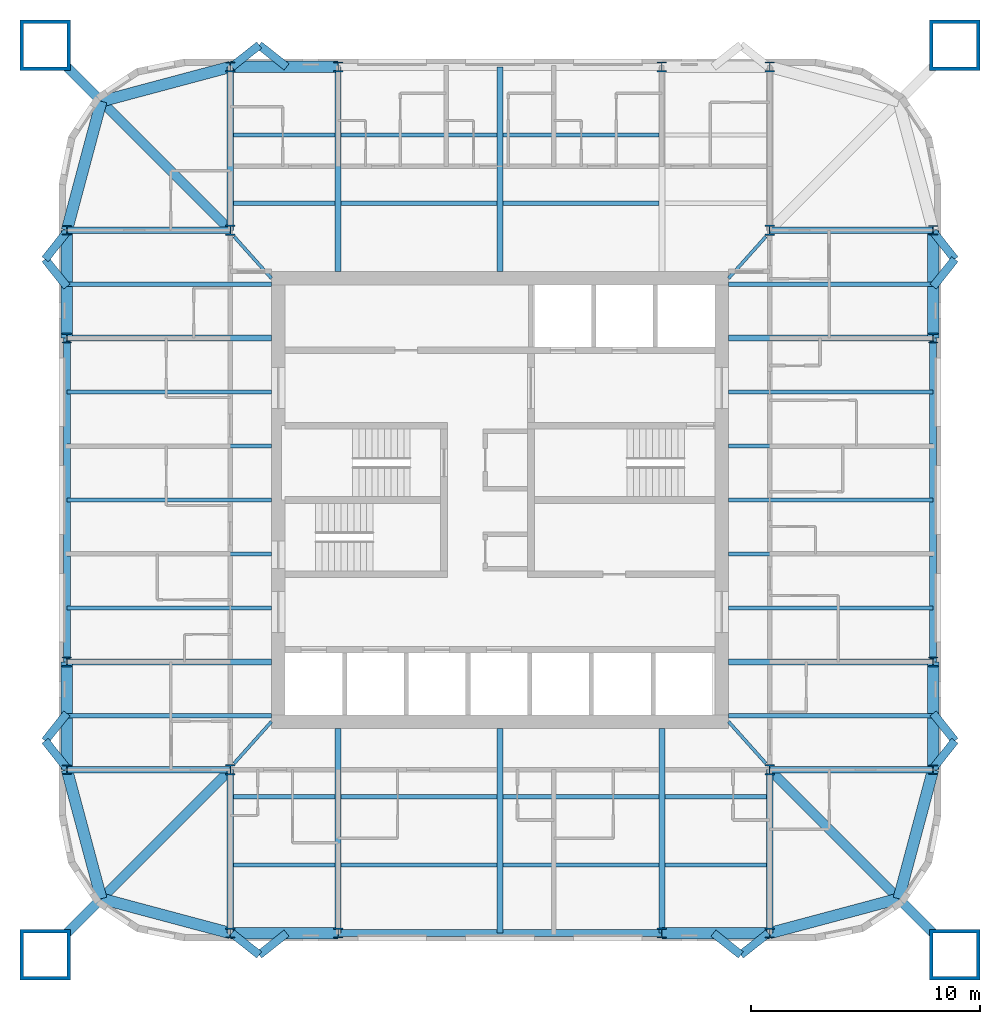
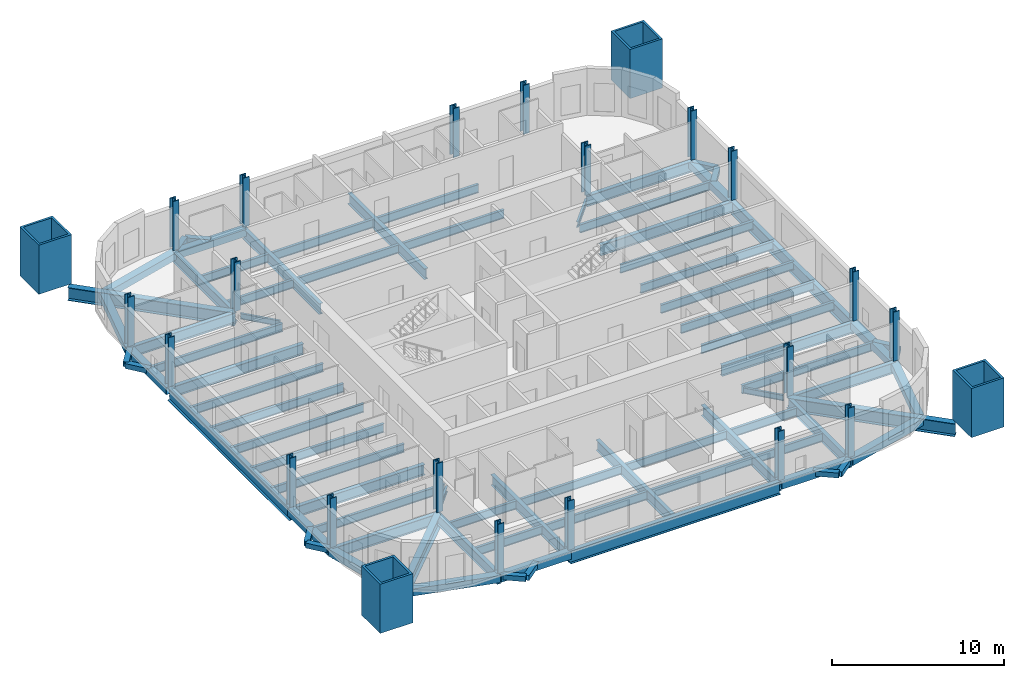
# One storey, part 1 of 9: 81 beams, 24 columns.
"""IFC4 building model written with IfcOpenShell, lengths in metres."""

from ifc_helpers import new_model, si_unit, direction, frame, origin, origin_2d, place, context, subcontext, project, spatial, hollow_rectangle, i_section, extrude, material, material_profile, profile_set, type_object, element, save


model = new_model("IFC4")

# Units and contexts
model_context = context("Model", 3, precision=1e-05, world=origin(), true_north=direction((0.0, 1.0)))
body_context = subcontext(model_context, "Body", "Model", "MODEL_VIEW")
ifc_project = project(units=[si_unit("LENGTHUNIT", "METRE"), si_unit("AREAUNIT", "SQUARE_METRE"), si_unit("VOLUMEUNIT", "CUBIC_METRE"), si_unit("PLANEANGLEUNIT", "RADIAN"), si_unit("MASSUNIT", "GRAM", prefix="KILO")], contexts=[model_context])

# Site, building, storey
site_placement = place(None, origin())
site = spatial("IfcSite", under=ifc_project, at=site_placement, CompositionType="ELEMENT")
building_placement = place(site_placement, origin())
building = spatial("IfcBuilding", under=site, at=building_placement, Name="Turquesa Mirador Hotel Tower", CompositionType="ELEMENT")
storey_placement = place(building_placement, frame((0.0, 0.0, 175.800048828125)))
storey = spatial("IfcBuildingStorey", under=building, at=storey_placement, Name="L47", CompositionType="ELEMENT", Elevation=175.800048828125)

# Columns
ifc_material_1 = material(Name="Steel ASTM A992 Grade 50", Category="steel")
ifc_material_profile_1 = material_profile(ifc_material_1, i_section(OverallWidth=0.411376953125, OverallDepth=0.434326171875, WebThickness=0.035888671875, FlangeThickness=0.057373046875, at=origin_2d()), Name="W14X311")
ifc_profile_set_1 = profile_set([ifc_material_profile_1], Name="Steel ASTM A992 Grade 50")
column_type_1 = type_object("IfcColumnType", Name="COLUMN W14X311", PredefinedType="COLUMN", material=ifc_profile_set_1)
for number, where, z_axis, x_axis, name in (
    (1, (36.050048828125, 33.199951171875, 0.0), (0.0, 0.0, 1.0), (1.0, 0.0, 0.0), "COL-L47-P--18.95--11.80"),
    (2, (36.050048828125, 37.919921875, 0.0), (0.0, 0.0, 1.0), (1.0, 0.0, 0.0), "COL-L47-P--18.95--7.08"),
    (3, (36.050048828125, 52.080078125, 0.0), (0.0, 0.0, 1.0), (1.0, 0.0, 0.0), "COL-L47-P--18.95-+7.08"),
    (4, (36.050048828125, 56.800048828125, 0.0), (0.0, 0.0, 1.0), (1.0, 0.0, 0.0), "COL-L47-P--18.95-+11.80"),
    (5, (43.199951171875, 26.050048828125, 0.0), (0.0, 0.0, 1.0), (1.0, 0.0, 0.0), "COL-L47-P--11.80--18.95"),
    (6, (43.199951171875, 63.949951171875, 0.0), (0.0, 0.0, 1.0), (1.0, 0.0, 0.0), "COL-L47-P--11.80-+18.95"),
    (7, (47.919921875, 26.050048828125, 0.0), (0.0, 0.0, 1.0), (1.0, 0.0, 0.0), "COL-L47-P--7.08--18.95"),
    (8, (47.919921875, 63.949951171875, 0.0), (0.0, 0.0, 1.0), (1.0, 0.0, 0.0), "COL-L47-P--7.08-+18.95"),
    (9, (62.080078125, 26.050048828125, 0.0), (0.0, 0.0, 1.0), (1.0, 0.0, 0.0), "COL-L47-P-+7.08--18.95"),
    (10, (62.080078125, 63.949951171875, 0.0), (0.0, 0.0, 1.0), (1.0, 0.0, 0.0), "COL-L47-P-+7.08-+18.95"),
    (11, (66.800048828125, 26.050048828125, 0.0), (0.0, 0.0, 1.0), (1.0, 0.0, 0.0), "COL-L47-P-+11.80--18.95"),
    (12, (66.800048828125, 63.949951171875, 0.0), (0.0, 0.0, 1.0), (1.0, 0.0, 0.0), "COL-L47-P-+11.80-+18.95"),
    (13, (73.949951171875, 33.199951171875, 0.0), (0.0, 0.0, 1.0), (1.0, 0.0, 0.0), "COL-L47-P-+18.95--11.80"),
    (14, (73.949951171875, 37.919921875, 0.0), (0.0, 0.0, 1.0), (1.0, 0.0, 0.0), "COL-L47-P-+18.95--7.08"),
    (15, (73.949951171875, 52.080078125, 0.0), (0.0, 0.0, 1.0), (1.0, 0.0, 0.0), "COL-L47-P-+18.95-+7.08"),
    (16, (73.949951171875, 56.800048828125, 0.0), (0.0, 0.0, 1.0), (1.0, 0.0, 0.0), "COL-L47-P-+18.95-+11.80"),
):
    element("IfcColumn", number, at=place(storey_placement, frame(where, z_axis=z_axis, x_axis=x_axis)), inside=storey, type_object=column_type_1, Name=name, PredefinedType="COLUMN", context=body_context, shape_type="SweptSolid", body=[
        extrude(i_section(OverallWidth=0.411376953125, OverallDepth=0.434326171875, WebThickness=0.035888671875, FlangeThickness=0.057373046875, at=origin_2d()), origin(), (0.0, 0.0, 1.0), 3.5),
    ])
ifc_material_2 = material(Name="Steel ASTM A992 Grade 50", Category="steel")
ifc_material_profile_2 = material_profile(ifc_material_2, i_section(OverallWidth=0.421630859375, OverallDepth=0.46484375, WebThickness=0.044921875, FlangeThickness=0.072509765625, at=origin_2d()), Name="W14X398")
ifc_profile_set_2 = profile_set([ifc_material_profile_2], Name="Steel ASTM A992 Grade 50")
column_type_2 = type_object("IfcColumnType", Name="COLUMN W14X398", PredefinedType="COLUMN", material=ifc_profile_set_2)
for number, where, z_axis, x_axis, name in (
    (17, (43.199951171875, 33.199951171875, 0.0), (0.0, 0.0, 1.0), (1.0, 0.0, 0.0), "COL-L47-K--11.80--11.80"),
    (18, (43.199951171875, 56.800048828125, 0.0), (0.0, 0.0, 1.0), (1.0, 0.0, 0.0), "COL-L47-K--11.80-+11.80"),
    (19, (66.800048828125, 33.199951171875, 0.0), (0.0, 0.0, 1.0), (1.0, 0.0, 0.0), "COL-L47-K-+11.80--11.80"),
    (20, (66.800048828125, 56.800048828125, 0.0), (0.0, 0.0, 1.0), (1.0, 0.0, 0.0), "COL-L47-K-+11.80-+11.80"),
):
    element("IfcColumn", number, at=place(storey_placement, frame(where, z_axis=z_axis, x_axis=x_axis)), inside=storey, type_object=column_type_2, Name=name, PredefinedType="COLUMN", context=body_context, shape_type="SweptSolid", body=[
        extrude(i_section(OverallWidth=0.421630859375, OverallDepth=0.46484375, WebThickness=0.044921875, FlangeThickness=0.072509765625, at=origin_2d()), origin(), (0.0, 0.0, 1.0), 3.5),
    ])
ifc_material_3 = material(Name="Steel ASTM A514 Grade Q", Category="steel")
ifc_material_profile_3 = material_profile(ifc_material_3, hollow_rectangle(XDim=2.199951171875, YDim=2.199951171875, WallThickness=0.14990234375, at=origin_2d()), Name="BOX2200X2200X150")
ifc_profile_set_3 = profile_set([ifc_material_profile_3], Name="Steel ASTM A514 Grade Q")
column_type_3 = type_object("IfcColumnType", Name="MEGA COLUMN BOX2200X2200X150", PredefinedType="COLUMN", material=ifc_profile_set_3)
for number, where, z_axis, x_axis, name in (
    (21, (74.89990234375, 64.89990234375, 0.0), (0.0, 0.0, 1.0), (1.0, 0.0, 0.0), "Mega column M1"),
    (22, (35.10009765625, 64.89990234375, 0.0), (0.0, 0.0, 1.0), (1.0, 0.0, 0.0), "Mega column M2"),
    (23, (35.10009765625, 25.10009765625, 0.0), (0.0, 0.0, 1.0), (1.0, 0.0, 0.0), "Mega column M3"),
    (24, (74.89990234375, 25.10009765625, 0.0), (0.0, 0.0, 1.0), (1.0, 0.0, 0.0), "Mega column M4"),
):
    element("IfcColumn", number, at=place(storey_placement, frame(where, z_axis=z_axis, x_axis=x_axis)), inside=storey, type_object=column_type_3, Name=name, PredefinedType="COLUMN", context=body_context, shape_type="SweptSolid", body=[
        extrude(hollow_rectangle(XDim=2.199951171875, YDim=2.199951171875, WallThickness=0.14990234375, at=origin_2d()), origin(), (0.0, 0.0, 1.0), 3.5),
    ])

# Beams
ifc_material_4 = material(Name="Steel ASTM A572 Grade 50", Category="steel")
ifc_material_profile_4 = material_profile(ifc_material_4, hollow_rectangle(XDim=0.5, YDim=0.5, WallThickness=0.01611328125, at=origin_2d()), Name="BOX500X500X16")
ifc_profile_set_4 = profile_set([ifc_material_profile_4], Name="Steel ASTM A572 Grade 50")
beam_type_1 = type_object("IfcBeamType", Name="BEAM BOX500X500X16", PredefinedType="BEAM", material=ifc_profile_set_4)
for number, where, z_axis, x_axis, name in (
    (25, (43.199951171875, 63.949951171875, -0.420166015625), (1.0, 0.0, 0.0), (0.0, 1.0, 0.0), "EB-L47-N-L"),
    (26, (43.199951171875, 26.050048828125, -0.420166015625), (1.0, 0.0, 0.0), (0.0, 1.0, 0.0), "EB-L47-S-L"),
    (27, (62.080078125, 26.050048828125, -0.420166015625), (1.0, 0.0, 0.0), (0.0, 1.0, 0.0), "EB-L47-S-R"),
    (28, (73.949951171875, 33.199951171875, -0.420166015625), (0.0, 1.0, 0.0), (-1.0, 0.0, 0.0), "EB-L47-E-L"),
    (29, (73.949951171875, 52.080078125, -0.420166015625), (0.0, 1.0, 0.0), (-1.0, 0.0, 0.0), "EB-L47-E-R"),
    (30, (36.050048828125, 33.199951171875, -0.420166015625), (0.0, 1.0, 0.0), (-1.0, 0.0, 0.0), "EB-L47-W-L"),
    (31, (36.050048828125, 52.080078125, -0.420166015625), (0.0, 1.0, 0.0), (-1.0, 0.0, 0.0), "EB-L47-W-R"),
):
    element("IfcBeam", number, at=place(storey_placement, frame(where, z_axis=z_axis, x_axis=x_axis)), inside=storey, type_object=beam_type_1, Name=name, PredefinedType="BEAM", context=body_context, shape_type="SweptSolid", body=[
        extrude(hollow_rectangle(XDim=0.5, YDim=0.5, WallThickness=0.01611328125, at=origin_2d()), origin(), (0.0, 0.0, 1.0), 4.719970703125),
    ])
for number, where, z_axis, x_axis, name in (
    (32, (36.050048828125, 56.800048828125, -0.420166015625), (0.258281892145, 0.966069595935, 0.0), (-0.966069595935, 0.258281892145, 0.0), "KE-L47-2-0"),
    (33, (37.558349609375, 62.441650390625, -0.420166015625), (0.966069595935, 0.258281892145, 0.0), (-0.258281892145, 0.966069595935, 0.0), "KE-L47-2-1"),
    (34, (36.050048828125, 33.199951171875, -0.420166015625), (0.258281892145, -0.966069595935, 0.0), (0.966069595935, 0.258281892145, 0.0), "KE-L47-3-0"),
    (35, (37.558349609375, 27.558349609375, -0.420166015625), (0.966069595935, -0.258281892145, 0.0), (0.258281892145, 0.966069595935, 0.0), "KE-L47-3-1"),
    (36, (73.949951171875, 33.199951171875, -0.420166015625), (-0.258281892145, -0.966069595935, 0.0), (0.966069595935, -0.258281892145, 0.0), "KE-L47-4-0"),
    (37, (72.441650390625, 27.558349609375, -0.420166015625), (-0.966069595935, -0.258281892145, 0.0), (0.258281892145, -0.966069595935, 0.0), "KE-L47-4-1"),
):
    element("IfcBeam", number, at=place(storey_placement, frame(where, z_axis=z_axis, x_axis=x_axis)), inside=storey, type_object=beam_type_1, Name=name, PredefinedType="BEAM", context=body_context, shape_type="SweptSolid", body=[
        extrude(hollow_rectangle(XDim=0.5, YDim=0.5, WallThickness=0.01611328125, at=origin_2d()), origin(), (0.0, 0.0, 1.0), 5.83984375),
    ])
ifc_material_5 = material(Name="Steel ASTM A992 Grade 50", Category="steel")
ifc_material_profile_5 = material_profile(ifc_material_5, i_section(OverallWidth=0.140380859375, OverallDepth=0.40380859375, WebThickness=0.007080078125, FlangeThickness=0.01123046875, at=origin_2d()), Name="W16X31")
ifc_profile_set_5 = profile_set([ifc_material_profile_5], Name="Steel ASTM A992 Grade 50")
beam_type_2 = type_object("IfcBeamType", Name="BEAM W16X31", PredefinedType="BEAM", material=ifc_profile_set_5)
for number, where, z_axis, x_axis, name in (
    (38, (66.634765625, 56.527099609375, -0.3720703125), (-0.666783216266, -0.745251730964, 0.0), (0.745251730964, -0.666783216266, 0.0), "KT-L47-1"),
    (39, (43.365234375, 56.527099609375, -0.3720703125), (0.666783216266, -0.745251730964, 0.0), (0.745251730964, 0.666783216266, 0.0), "KT-L47-2"),
    (40, (43.365234375, 33.472900390625, -0.3720703125), (0.666783216266, 0.745251730964, 0.0), (-0.745251730964, 0.666783216266, 0.0), "KT-L47-3"),
    (41, (66.634765625, 33.472900390625, -0.3720703125), (-0.666783216266, 0.745251730964, 0.0), (-0.745251730964, -0.666783216266, 0.0), "KT-L47-4"),
):
    element("IfcBeam", number, at=place(storey_placement, frame(where, z_axis=z_axis, x_axis=x_axis)), inside=storey, type_object=beam_type_2, Name=name, PredefinedType="BEAM", context=body_context, shape_type="SweptSolid", body=[
        extrude(i_section(OverallWidth=0.140380859375, OverallDepth=0.40380859375, WebThickness=0.007080078125, FlangeThickness=0.01123046875, at=origin_2d()), origin(), (0.0, 0.0, 1.0), 2.45166015625),
    ])
ifc_material_6 = material(Name="Steel ASTM A992 Grade 50", Category="steel")
ifc_material_profile_6 = material_profile(ifc_material_6, i_section(OverallWidth=0.177978515625, OverallDepth=0.599365234375, WebThickness=0.010009765625, FlangeThickness=0.012939453125, at=origin_2d()), Name="W24X55")
ifc_profile_set_6 = profile_set([ifc_material_profile_6], Name="Steel ASTM A992 Grade 50")
beam_type_3 = type_object("IfcBeamType", Name="BEAM W24X55", PredefinedType="BEAM", material=ifc_profile_set_6)
beam_1_placement = place(storey_placement, frame((43.333251953125, 57.98291015625, -0.4697265625), z_axis=(1.0, 0.0, 0.0), x_axis=(0.0, 1.0, 0.0)))
element("IfcBeam", 42, at=beam_1_placement, inside=storey, type_object=beam_type_3, Name="IB-L47-N-1-0", PredefinedType="BEAM", context=body_context, shape_type="SweptSolid", body=[
    extrude(i_section(OverallWidth=0.177978515625, OverallDepth=0.599365234375, WebThickness=0.010009765625, FlangeThickness=0.012939453125, at=origin_2d()), origin(), (0.0, 0.0, 1.0), 4.453369140625),
])
for number, where, z_axis, x_axis, name in (
    (43, (48.053466796875, 57.98291015625, -0.4697265625), (1.0, 0.0, 0.0), (0.0, 1.0, 0.0), "IB-L47-N-1-1"),
    (44, (55.13330078125, 57.98291015625, -0.4697265625), (1.0, 0.0, 0.0), (0.0, 1.0, 0.0), "IB-L47-N-1-2"),
):
    element("IfcBeam", number, at=place(storey_placement, frame(where, z_axis=z_axis, x_axis=x_axis)), inside=storey, type_object=beam_type_3, Name=name, PredefinedType="BEAM", context=body_context, shape_type="SweptSolid", body=[
        extrude(i_section(OverallWidth=0.177978515625, OverallDepth=0.599365234375, WebThickness=0.010009765625, FlangeThickness=0.012939453125, at=origin_2d()), origin(), (0.0, 0.0, 1.0), 6.813232421875),
    ])
beam_2_placement = place(storey_placement, frame((43.333251953125, 60.967041015625, -0.4697265625), z_axis=(1.0, 0.0, 0.0), x_axis=(0.0, 1.0, 0.0)))
element("IfcBeam", 45, at=beam_2_placement, inside=storey, type_object=beam_type_3, Name="IB-L47-N-2-0", PredefinedType="BEAM", context=body_context, shape_type="SweptSolid", body=[
    extrude(i_section(OverallWidth=0.177978515625, OverallDepth=0.599365234375, WebThickness=0.010009765625, FlangeThickness=0.012939453125, at=origin_2d()), origin(), (0.0, 0.0, 1.0), 4.453369140625),
])
for number, where, z_axis, x_axis, name in (
    (46, (48.053466796875, 60.967041015625, -0.4697265625), (1.0, 0.0, 0.0), (0.0, 1.0, 0.0), "IB-L47-N-2-1"),
    (47, (55.13330078125, 60.967041015625, -0.4697265625), (1.0, 0.0, 0.0), (0.0, 1.0, 0.0), "IB-L47-N-2-2"),
):
    element("IfcBeam", number, at=place(storey_placement, frame(where, z_axis=z_axis, x_axis=x_axis)), inside=storey, type_object=beam_type_3, Name=name, PredefinedType="BEAM", context=body_context, shape_type="SweptSolid", body=[
        extrude(i_section(OverallWidth=0.177978515625, OverallDepth=0.599365234375, WebThickness=0.010009765625, FlangeThickness=0.012939453125, at=origin_2d()), origin(), (0.0, 0.0, 1.0), 6.813232421875),
    ])
beam_3_placement = place(storey_placement, frame((43.333251953125, 32.01708984375, -0.4697265625), z_axis=(1.0, 0.0, 0.0), x_axis=(0.0, 1.0, 0.0)))
element("IfcBeam", 48, at=beam_3_placement, inside=storey, type_object=beam_type_3, Name="IB-L47-S-1-0", PredefinedType="BEAM", context=body_context, shape_type="SweptSolid", body=[
    extrude(i_section(OverallWidth=0.177978515625, OverallDepth=0.599365234375, WebThickness=0.010009765625, FlangeThickness=0.012939453125, at=origin_2d()), origin(), (0.0, 0.0, 1.0), 4.453369140625),
])
for number, where, z_axis, x_axis, name in (
    (49, (48.053466796875, 32.01708984375, -0.4697265625), (1.0, 0.0, 0.0), (0.0, 1.0, 0.0), "IB-L47-S-1-1"),
    (50, (55.13330078125, 32.01708984375, -0.4697265625), (1.0, 0.0, 0.0), (0.0, 1.0, 0.0), "IB-L47-S-1-2"),
):
    element("IfcBeam", number, at=place(storey_placement, frame(where, z_axis=z_axis, x_axis=x_axis)), inside=storey, type_object=beam_type_3, Name=name, PredefinedType="BEAM", context=body_context, shape_type="SweptSolid", body=[
        extrude(i_section(OverallWidth=0.177978515625, OverallDepth=0.599365234375, WebThickness=0.010009765625, FlangeThickness=0.012939453125, at=origin_2d()), origin(), (0.0, 0.0, 1.0), 6.813232421875),
    ])
for number, where, z_axis, x_axis, name in (
    (51, (62.21337890625, 32.01708984375, -0.4697265625), (1.0, 0.0, 0.0), (0.0, 1.0, 0.0), "IB-L47-S-1-3"),
    (52, (43.333251953125, 29.032958984375, -0.4697265625), (1.0, 0.0, 0.0), (0.0, 1.0, 0.0), "IB-L47-S-2-0"),
):
    element("IfcBeam", number, at=place(storey_placement, frame(where, z_axis=z_axis, x_axis=x_axis)), inside=storey, type_object=beam_type_3, Name=name, PredefinedType="BEAM", context=body_context, shape_type="SweptSolid", body=[
        extrude(i_section(OverallWidth=0.177978515625, OverallDepth=0.599365234375, WebThickness=0.010009765625, FlangeThickness=0.012939453125, at=origin_2d()), origin(), (0.0, 0.0, 1.0), 4.453369140625),
    ])
for number, where, z_axis, x_axis, name in (
    (53, (48.053466796875, 29.032958984375, -0.4697265625), (1.0, 0.0, 0.0), (0.0, 1.0, 0.0), "IB-L47-S-2-1"),
    (54, (55.13330078125, 29.032958984375, -0.4697265625), (1.0, 0.0, 0.0), (0.0, 1.0, 0.0), "IB-L47-S-2-2"),
):
    element("IfcBeam", number, at=place(storey_placement, frame(where, z_axis=z_axis, x_axis=x_axis)), inside=storey, type_object=beam_type_3, Name=name, PredefinedType="BEAM", context=body_context, shape_type="SweptSolid", body=[
        extrude(i_section(OverallWidth=0.177978515625, OverallDepth=0.599365234375, WebThickness=0.010009765625, FlangeThickness=0.012939453125, at=origin_2d()), origin(), (0.0, 0.0, 1.0), 6.813232421875),
    ])
beam_4_placement = place(storey_placement, frame((62.21337890625, 29.032958984375, -0.4697265625), z_axis=(1.0, 0.0, 0.0), x_axis=(0.0, 1.0, 0.0)))
element("IfcBeam", 55, at=beam_4_placement, inside=storey, type_object=beam_type_3, Name="IB-L47-S-2-3", PredefinedType="BEAM", context=body_context, shape_type="SweptSolid", body=[
    extrude(i_section(OverallWidth=0.177978515625, OverallDepth=0.599365234375, WebThickness=0.010009765625, FlangeThickness=0.012939453125, at=origin_2d()), origin(), (0.0, 0.0, 1.0), 4.453369140625),
])
for number, where, z_axis, x_axis, name in (
    (56, (73.949951171875, 35.56005859375, -0.4697265625), (-1.0, 0.0, 0.0), (0.0, -1.0, 0.0), "BM-L47-E--9.44"),
    (57, (73.949951171875, 40.280029296875, -0.4697265625), (-1.0, 0.0, 0.0), (0.0, -1.0, 0.0), "BM-L47-E--4.72"),
    (58, (73.949951171875, 42.639892578125, -0.4697265625), (-1.0, 0.0, 0.0), (0.0, -1.0, 0.0), "BM-L47-E--2.36"),
    (59, (73.949951171875, 45.0, -0.4697265625), (-1.0, 0.0, 0.0), (0.0, -1.0, 0.0), "BM-L47-E-+0.00"),
    (60, (73.949951171875, 47.360107421875, -0.4697265625), (-1.0, 0.0, 0.0), (0.0, -1.0, 0.0), "BM-L47-E-+2.36"),
    (61, (73.949951171875, 49.719970703125, -0.4697265625), (-1.0, 0.0, 0.0), (0.0, -1.0, 0.0), "BM-L47-E-+4.72"),
    (62, (73.949951171875, 54.43994140625, -0.4697265625), (-1.0, 0.0, 0.0), (0.0, -1.0, 0.0), "BM-L47-E-+9.44"),
    (63, (36.050048828125, 35.56005859375, -0.4697265625), (1.0, 0.0, 0.0), (0.0, 1.0, 0.0), "BM-L47-W--9.44"),
    (64, (36.050048828125, 40.280029296875, -0.4697265625), (1.0, 0.0, 0.0), (0.0, 1.0, 0.0), "BM-L47-W--4.72"),
    (65, (36.050048828125, 42.639892578125, -0.4697265625), (1.0, 0.0, 0.0), (0.0, 1.0, 0.0), "BM-L47-W--2.36"),
    (66, (36.050048828125, 45.0, -0.4697265625), (1.0, 0.0, 0.0), (0.0, 1.0, 0.0), "BM-L47-W-+0.00"),
    (67, (36.050048828125, 47.360107421875, -0.4697265625), (1.0, 0.0, 0.0), (0.0, 1.0, 0.0), "BM-L47-W-+2.36"),
    (68, (36.050048828125, 49.719970703125, -0.4697265625), (1.0, 0.0, 0.0), (0.0, 1.0, 0.0), "BM-L47-W-+4.72"),
    (69, (36.050048828125, 54.43994140625, -0.4697265625), (1.0, 0.0, 0.0), (0.0, 1.0, 0.0), "BM-L47-W-+9.44"),
):
    element("IfcBeam", number, at=place(storey_placement, frame(where, z_axis=z_axis, x_axis=x_axis)), inside=storey, type_object=beam_type_3, Name=name, PredefinedType="BEAM", context=body_context, shape_type="SweptSolid", body=[
        extrude(i_section(OverallWidth=0.177978515625, OverallDepth=0.599365234375, WebThickness=0.010009765625, FlangeThickness=0.012939453125, at=origin_2d()), origin(), (0.0, 0.0, 1.0), 8.949951171875),
    ])
ifc_material_7 = material(Name="Steel ASTM A992 Grade 50", Category="steel")
ifc_material_profile_7 = material_profile(ifc_material_7, i_section(OverallWidth=0.2666015625, OverallDepth=0.7568359375, WebThickness=0.013916015625, FlangeThickness=0.019287109375, at=origin_2d()), Name="W30X108")
ifc_profile_set_7 = profile_set([ifc_material_profile_7], Name="Steel ASTM A992 Grade 50")
beam_type_4 = type_object("IfcBeamType", Name="BEAM W30X108", PredefinedType="BEAM", material=ifc_profile_set_7)
for number, where, z_axis, x_axis, name in (
    (70, (47.919921875, 63.949951171875, -0.548583984375), (0.0, -1.0, 0.0), (1.0, 0.0, 0.0), "GD-L47-N--7.08"),
    (71, (55.0, 63.949951171875, -0.548583984375), (0.0, -1.0, 0.0), (1.0, 0.0, 0.0), "GD-L47-N-+0.00"),
):
    element("IfcBeam", number, at=place(storey_placement, frame(where, z_axis=z_axis, x_axis=x_axis)), inside=storey, type_object=beam_type_4, Name=name, PredefinedType="BEAM", context=body_context, shape_type="SweptSolid", body=[
        extrude(i_section(OverallWidth=0.2666015625, OverallDepth=0.7568359375, WebThickness=0.013916015625, FlangeThickness=0.019287109375, at=origin_2d()), origin(), (0.0, 0.0, 1.0), 8.949951171875),
    ])
beam_5_placement = place(storey_placement, frame((43.199951171875, 63.949951171875, -0.548583984375), z_axis=(0.0, -1.0, 0.0), x_axis=(1.0, 0.0, 0.0)))
element("IfcBeam", 72, at=beam_5_placement, inside=storey, type_object=beam_type_4, Name="GK-L47-N--11.80", PredefinedType="BEAM", context=body_context, shape_type="SweptSolid", body=[
    extrude(i_section(OverallWidth=0.2666015625, OverallDepth=0.7568359375, WebThickness=0.013916015625, FlangeThickness=0.019287109375, at=origin_2d()), origin(), (0.0, 0.0, 1.0), 7.14990234375),
])
for number, where, z_axis, x_axis, name in (
    (73, (47.919921875, 26.050048828125, -0.548583984375), (0.0, 1.0, 0.0), (-1.0, 0.0, 0.0), "GD-L47-S--7.08"),
    (74, (62.080078125, 26.050048828125, -0.548583984375), (0.0, 1.0, 0.0), (-1.0, 0.0, 0.0), "GD-L47-S-+7.08"),
    (75, (55.0, 26.050048828125, -0.548583984375), (0.0, 1.0, 0.0), (-1.0, 0.0, 0.0), "GD-L47-S-+0.00"),
):
    element("IfcBeam", number, at=place(storey_placement, frame(where, z_axis=z_axis, x_axis=x_axis)), inside=storey, type_object=beam_type_4, Name=name, PredefinedType="BEAM", context=body_context, shape_type="SweptSolid", body=[
        extrude(i_section(OverallWidth=0.2666015625, OverallDepth=0.7568359375, WebThickness=0.013916015625, FlangeThickness=0.019287109375, at=origin_2d()), origin(), (0.0, 0.0, 1.0), 8.949951171875),
    ])
for number, where, z_axis, x_axis, name in (
    (76, (43.199951171875, 26.050048828125, -0.548583984375), (0.0, 1.0, 0.0), (-1.0, 0.0, 0.0), "GK-L47-S--11.80"),
    (77, (66.800048828125, 26.050048828125, -0.548583984375), (0.0, 1.0, 0.0), (-1.0, 0.0, 0.0), "GK-L47-S-+11.80"),
):
    element("IfcBeam", number, at=place(storey_placement, frame(where, z_axis=z_axis, x_axis=x_axis)), inside=storey, type_object=beam_type_4, Name=name, PredefinedType="BEAM", context=body_context, shape_type="SweptSolid", body=[
        extrude(i_section(OverallWidth=0.2666015625, OverallDepth=0.7568359375, WebThickness=0.013916015625, FlangeThickness=0.019287109375, at=origin_2d()), origin(), (0.0, 0.0, 1.0), 7.14990234375),
    ])
for number, where, z_axis, x_axis, name in (
    (78, (73.949951171875, 37.919921875, -0.548583984375), (-1.0, 0.0, 0.0), (0.0, -1.0, 0.0), "GD-L47-E--7.08"),
    (79, (73.949951171875, 52.080078125, -0.548583984375), (-1.0, 0.0, 0.0), (0.0, -1.0, 0.0), "GD-L47-E-+7.08"),
):
    element("IfcBeam", number, at=place(storey_placement, frame(where, z_axis=z_axis, x_axis=x_axis)), inside=storey, type_object=beam_type_4, Name=name, PredefinedType="BEAM", context=body_context, shape_type="SweptSolid", body=[
        extrude(i_section(OverallWidth=0.2666015625, OverallDepth=0.7568359375, WebThickness=0.013916015625, FlangeThickness=0.019287109375, at=origin_2d()), origin(), (0.0, 0.0, 1.0), 8.949951171875),
    ])
for number, where, z_axis, x_axis, name in (
    (80, (73.949951171875, 33.199951171875, -0.548583984375), (-1.0, 0.0, 0.0), (0.0, -1.0, 0.0), "GK-L47-E--11.80"),
    (81, (73.949951171875, 56.800048828125, -0.548583984375), (-1.0, 0.0, 0.0), (0.0, -1.0, 0.0), "GK-L47-E-+11.80"),
):
    element("IfcBeam", number, at=place(storey_placement, frame(where, z_axis=z_axis, x_axis=x_axis)), inside=storey, type_object=beam_type_4, Name=name, PredefinedType="BEAM", context=body_context, shape_type="SweptSolid", body=[
        extrude(i_section(OverallWidth=0.2666015625, OverallDepth=0.7568359375, WebThickness=0.013916015625, FlangeThickness=0.019287109375, at=origin_2d()), origin(), (0.0, 0.0, 1.0), 7.14990234375),
    ])
for number, where, z_axis, x_axis, name in (
    (82, (36.050048828125, 37.919921875, -0.548583984375), (1.0, 0.0, 0.0), (0.0, 1.0, 0.0), "GD-L47-W--7.08"),
    (83, (36.050048828125, 52.080078125, -0.548583984375), (1.0, 0.0, 0.0), (0.0, 1.0, 0.0), "GD-L47-W-+7.08"),
):
    element("IfcBeam", number, at=place(storey_placement, frame(where, z_axis=z_axis, x_axis=x_axis)), inside=storey, type_object=beam_type_4, Name=name, PredefinedType="BEAM", context=body_context, shape_type="SweptSolid", body=[
        extrude(i_section(OverallWidth=0.2666015625, OverallDepth=0.7568359375, WebThickness=0.013916015625, FlangeThickness=0.019287109375, at=origin_2d()), origin(), (0.0, 0.0, 1.0), 8.949951171875),
    ])
for number, where, z_axis, x_axis, name in (
    (84, (36.050048828125, 33.199951171875, -0.548583984375), (1.0, 0.0, 0.0), (0.0, 1.0, 0.0), "GK-L47-W--11.80"),
    (85, (36.050048828125, 56.800048828125, -0.548583984375), (1.0, 0.0, 0.0), (0.0, 1.0, 0.0), "GK-L47-W-+11.80"),
):
    element("IfcBeam", number, at=place(storey_placement, frame(where, z_axis=z_axis, x_axis=x_axis)), inside=storey, type_object=beam_type_4, Name=name, PredefinedType="BEAM", context=body_context, shape_type="SweptSolid", body=[
        extrude(i_section(OverallWidth=0.2666015625, OverallDepth=0.7568359375, WebThickness=0.013916015625, FlangeThickness=0.019287109375, at=origin_2d()), origin(), (0.0, 0.0, 1.0), 7.14990234375),
    ])
ifc_material_8 = material(Name="Steel ASTM A992 Grade 50", Category="steel")
ifc_material_profile_8 = material_profile(ifc_material_8, i_section(OverallWidth=0.3046875, OverallDepth=0.911865234375, WebThickness=0.015869140625, FlangeThickness=0.02392578125, at=origin_2d()), Name="W36X150")
ifc_profile_set_8 = profile_set([ifc_material_profile_8], Name="Steel ASTM A992 Grade 50")
beam_type_5 = type_object("IfcBeamType", Name="BEAM W36X150", PredefinedType="BEAM", material=ifc_profile_set_8)
for number, where, z_axis, x_axis, name in (
    (86, (47.919921875, 26.050048828125, -0.6259765625), (1.0, 0.0, 0.0), (0.0, 1.0, 0.0), "EB-L47-S-C"),
    (87, (73.949951171875, 37.919921875, -0.6259765625), (0.0, 1.0, 0.0), (-1.0, 0.0, 0.0), "EB-L47-E-C"),
    (88, (36.050048828125, 37.919921875, -0.6259765625), (0.0, 1.0, 0.0), (-1.0, 0.0, 0.0), "EB-L47-W-C"),
):
    element("IfcBeam", number, at=place(storey_placement, frame(where, z_axis=z_axis, x_axis=x_axis)), inside=storey, type_object=beam_type_5, Name=name, PredefinedType="BEAM", context=body_context, shape_type="SweptSolid", body=[
        extrude(i_section(OverallWidth=0.3046875, OverallDepth=0.911865234375, WebThickness=0.015869140625, FlangeThickness=0.02392578125, at=origin_2d()), origin(), (0.0, 0.0, 1.0), 14.16015625),
    ])
ifc_material_9 = material(Name="Steel ASTM A992 Grade 50", Category="steel")
ifc_material_profile_9 = material_profile(ifc_material_9, i_section(OverallWidth=0.419189453125, OverallDepth=0.927001953125, WebThickness=0.019287109375, FlangeThickness=0.031982421875, at=origin_2d()), Name="W36X231")
ifc_profile_set_9 = profile_set([ifc_material_profile_9], Name="Steel ASTM A992 Grade 50")
beam_type_6 = type_object("IfcBeamType", Name="BEAM W36X231", PredefinedType="BEAM", material=ifc_profile_set_9)
for number, where, z_axis, x_axis, name in (
    (89, (43.199951171875, 56.800048828125, -0.633544921875), (-0.707106781187, 0.707106781187, 0.0), (-0.707106781187, -0.707106781187, 0.0), "KD-L47-2"),
    (90, (43.199951171875, 33.199951171875, -0.633544921875), (-0.707106781187, -0.707106781187, 0.0), (0.707106781187, -0.707106781187, 0.0), "KD-L47-3"),
    (91, (66.800048828125, 33.199951171875, -0.633544921875), (0.707106781187, -0.707106781187, 0.0), (0.707106781187, 0.707106781187, 0.0), "KD-L47-4"),
):
    element("IfcBeam", number, at=place(storey_placement, frame(where, z_axis=z_axis, x_axis=x_axis)), inside=storey, type_object=beam_type_6, Name=name, PredefinedType="BEAM", context=body_context, shape_type="SweptSolid", body=[
        extrude(i_section(OverallWidth=0.419189453125, OverallDepth=0.927001953125, WebThickness=0.019287109375, FlangeThickness=0.031982421875, at=origin_2d()), origin(), (0.0, 0.0, 1.0), 10.080322265625),
    ])
ifc_material_10 = material(Name="Steel ASTM A500 Grade C", Category="steel")
ifc_material_profile_10 = material_profile(ifc_material_10, hollow_rectangle(XDim=0.355712890625, YDim=0.355712890625, WallThickness=0.0146484375, at=origin_2d()), Name="HSS14X14X5/8")
ifc_profile_set_10 = profile_set([ifc_material_profile_10], Name="Steel ASTM A500 Grade C")
beam_type_7 = type_object("IfcBeamType", Name="BRACE STRUT HSS14X14X5/8", PredefinedType="BEAM", material=ifc_profile_set_10)
beam_6_placement = place(storey_placement, frame((44.464599609375, 64.89990234375, -0.347900390625), z_axis=(-0.784049059149, -0.620698858423, 0.0), x_axis=(0.620698858423, -0.784049059149, 0.0)))
element("IfcBeam", 92, at=beam_6_placement, inside=storey, type_object=beam_type_7, Name="Brace strut", PredefinedType="BEAM", context=body_context, shape_type="SweptSolid", body=[
    extrude(hollow_rectangle(XDim=0.355712890625, YDim=0.355712890625, WallThickness=0.0146484375, at=origin_2d()), origin(), (0.0, 0.0, 1.0), 1.530517578125),
])
beam_7_placement = place(storey_placement, frame((44.464599609375, 64.89990234375, -0.347900390625), z_axis=(0.784110506071, -0.620621232531, 0.0), x_axis=(0.620621232531, 0.784110506071, 0.0)))
element("IfcBeam", 93, at=beam_7_placement, inside=storey, type_object=beam_type_7, Name="Brace strut", PredefinedType="BEAM", context=body_context, shape_type="SweptSolid", body=[
    extrude(hollow_rectangle(XDim=0.355712890625, YDim=0.355712890625, WallThickness=0.0146484375, at=origin_2d()), origin(), (0.0, 0.0, 1.0), 1.53076171875),
])
beam_8_placement = place(storey_placement, frame((44.464599609375, 25.10009765625, -0.347900390625), z_axis=(-0.784049059149, 0.620698858423, 0.0), x_axis=(-0.620698858423, -0.784049059149, 0.0)))
element("IfcBeam", 94, at=beam_8_placement, inside=storey, type_object=beam_type_7, Name="Brace strut", PredefinedType="BEAM", context=body_context, shape_type="SweptSolid", body=[
    extrude(hollow_rectangle(XDim=0.355712890625, YDim=0.355712890625, WallThickness=0.0146484375, at=origin_2d()), origin(), (0.0, 0.0, 1.0), 1.530517578125),
])
for number, where, z_axis, x_axis, name in (
    (95, (44.464599609375, 25.10009765625, -0.347900390625), (0.784110506071, 0.620621232531, 0.0), (-0.620621232531, 0.784110506071, 0.0), "Brace strut"),
    (96, (65.535400390625, 25.10009765625, -0.347900390625), (-0.784110506071, 0.620621232531, 0.0), (-0.620621232531, -0.784110506071, 0.0), "Brace strut"),
):
    element("IfcBeam", number, at=place(storey_placement, frame(where, z_axis=z_axis, x_axis=x_axis)), inside=storey, type_object=beam_type_7, Name=name, PredefinedType="BEAM", context=body_context, shape_type="SweptSolid", body=[
        extrude(hollow_rectangle(XDim=0.355712890625, YDim=0.355712890625, WallThickness=0.0146484375, at=origin_2d()), origin(), (0.0, 0.0, 1.0), 1.53076171875),
    ])
for number, where, z_axis, x_axis, name in (
    (97, (65.535400390625, 25.10009765625, -0.347900390625), (0.784049059149, 0.620698858423, 0.0), (-0.620698858423, 0.784049059149, 0.0), "Brace strut"),
    (98, (74.89990234375, 34.464599609375, -0.347900390625), (-0.620698858423, -0.784049059149, 0.0), (0.784049059149, -0.620698858423, 0.0), "Brace strut"),
):
    element("IfcBeam", number, at=place(storey_placement, frame(where, z_axis=z_axis, x_axis=x_axis)), inside=storey, type_object=beam_type_7, Name=name, PredefinedType="BEAM", context=body_context, shape_type="SweptSolid", body=[
        extrude(hollow_rectangle(XDim=0.355712890625, YDim=0.355712890625, WallThickness=0.0146484375, at=origin_2d()), origin(), (0.0, 0.0, 1.0), 1.530517578125),
    ])
for number, where, z_axis, x_axis, name in (
    (99, (74.89990234375, 34.464599609375, -0.347900390625), (-0.620621232531, 0.784110506071, 0.0), (-0.784110506071, -0.620621232531, 0.0), "Brace strut"),
    (100, (74.89990234375, 55.535400390625, -0.347900390625), (-0.620621232531, -0.784110506071, 0.0), (0.784110506071, -0.620621232531, 0.0), "Brace strut"),
):
    element("IfcBeam", number, at=place(storey_placement, frame(where, z_axis=z_axis, x_axis=x_axis)), inside=storey, type_object=beam_type_7, Name=name, PredefinedType="BEAM", context=body_context, shape_type="SweptSolid", body=[
        extrude(hollow_rectangle(XDim=0.355712890625, YDim=0.355712890625, WallThickness=0.0146484375, at=origin_2d()), origin(), (0.0, 0.0, 1.0), 1.53076171875),
    ])
for number, where, z_axis, x_axis, name in (
    (101, (74.89990234375, 55.535400390625, -0.347900390625), (-0.620698858423, 0.784049059149, 0.0), (-0.784049059149, -0.620698858423, 0.0), "Brace strut"),
    (102, (35.10009765625, 34.464599609375, -0.347900390625), (0.620698858423, -0.784049059149, 0.0), (0.784049059149, 0.620698858423, 0.0), "Brace strut"),
):
    element("IfcBeam", number, at=place(storey_placement, frame(where, z_axis=z_axis, x_axis=x_axis)), inside=storey, type_object=beam_type_7, Name=name, PredefinedType="BEAM", context=body_context, shape_type="SweptSolid", body=[
        extrude(hollow_rectangle(XDim=0.355712890625, YDim=0.355712890625, WallThickness=0.0146484375, at=origin_2d()), origin(), (0.0, 0.0, 1.0), 1.530517578125),
    ])
for number, where, z_axis, x_axis, name in (
    (103, (35.10009765625, 34.464599609375, -0.347900390625), (0.620621232531, 0.784110506071, 0.0), (-0.784110506071, 0.620621232531, 0.0), "Brace strut"),
    (104, (35.10009765625, 55.535400390625, -0.347900390625), (0.620621232531, -0.784110506071, 0.0), (0.784110506071, 0.620621232531, 0.0), "Brace strut"),
):
    element("IfcBeam", number, at=place(storey_placement, frame(where, z_axis=z_axis, x_axis=x_axis)), inside=storey, type_object=beam_type_7, Name=name, PredefinedType="BEAM", context=body_context, shape_type="SweptSolid", body=[
        extrude(hollow_rectangle(XDim=0.355712890625, YDim=0.355712890625, WallThickness=0.0146484375, at=origin_2d()), origin(), (0.0, 0.0, 1.0), 1.53076171875),
    ])
beam_9_placement = place(storey_placement, frame((35.10009765625, 55.535400390625, -0.347900390625), z_axis=(0.620698858423, 0.784049059149, 0.0), x_axis=(-0.784049059149, 0.620698858423, 0.0)))
element("IfcBeam", 105, at=beam_9_placement, inside=storey, type_object=beam_type_7, Name="Brace strut", PredefinedType="BEAM", context=body_context, shape_type="SweptSolid", body=[
    extrude(hollow_rectangle(XDim=0.355712890625, YDim=0.355712890625, WallThickness=0.0146484375, at=origin_2d()), origin(), (0.0, 0.0, 1.0), 1.530517578125),
])

save(model, "model.ifc")
